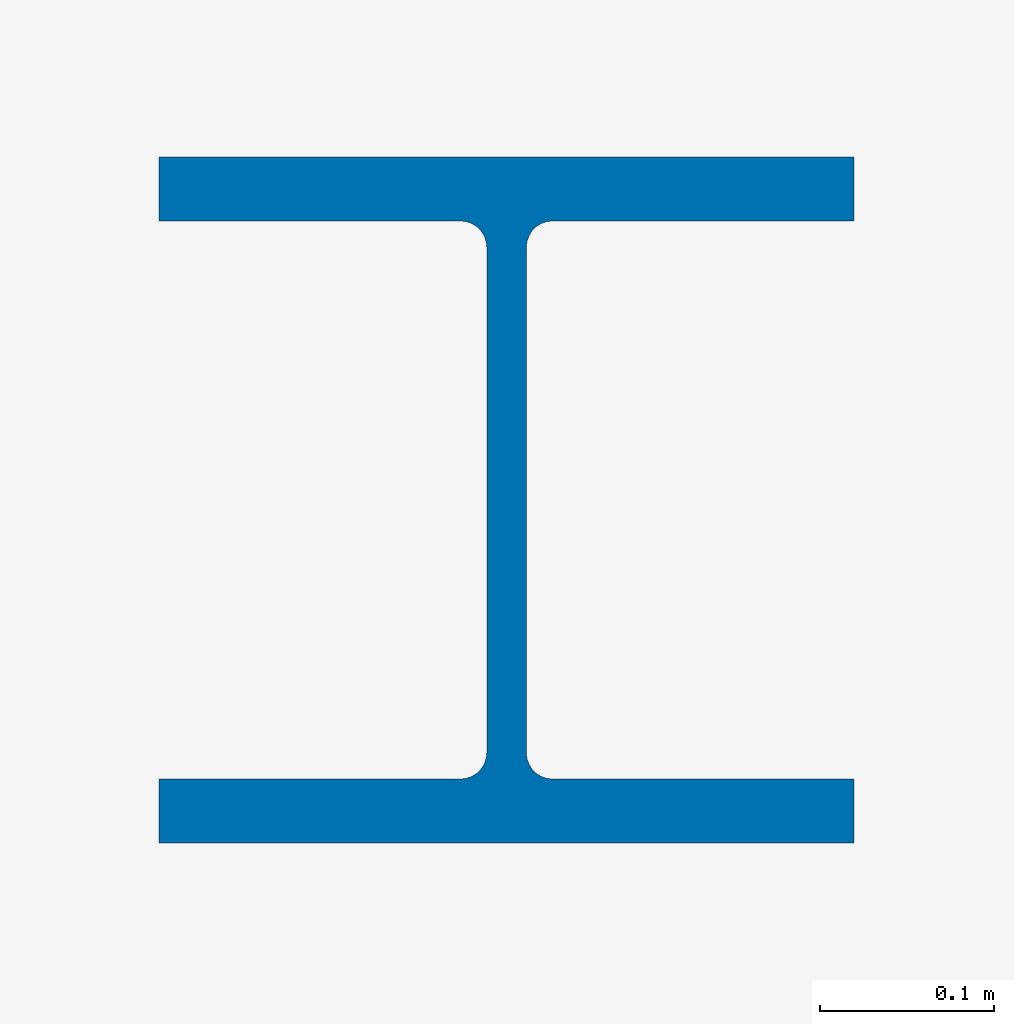
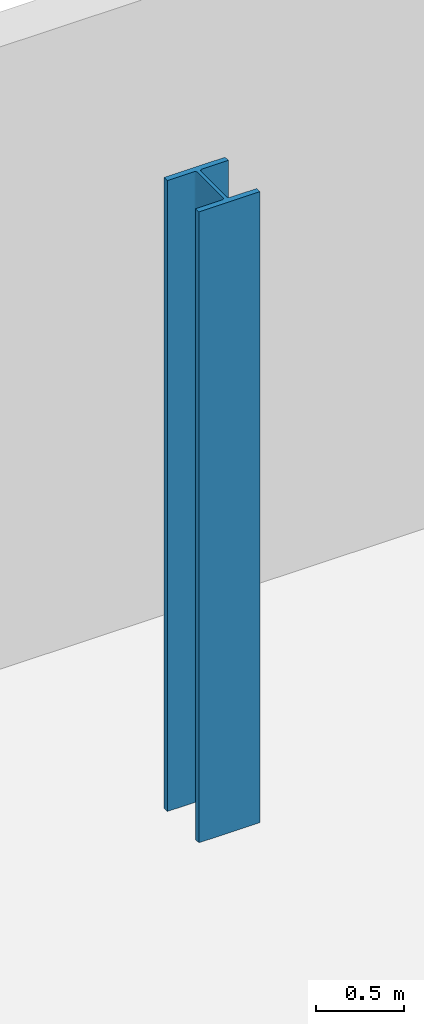
# One storey, part 6 of 45: 1 column.
"""IFC4 building model written with IfcOpenShell, lengths in metres."""

from ifc_helpers import new_model, si_unit, direction, frame, origin, origin_2d, place, context, subcontext, project, spatial, i_section, extrude, material, material_profile, profile_set, type_object, element, save


model = new_model("IFC4")

# Units and contexts
model_context = context("Model", 3, precision=1e-05, world=origin(), true_north=direction((0.0, 1.0)))
body_context = subcontext(model_context, "Body", "Model", "MODEL_VIEW")
ifc_project = project(units=[si_unit("LENGTHUNIT", "METRE"), si_unit("AREAUNIT", "SQUARE_METRE"), si_unit("VOLUMEUNIT", "CUBIC_METRE"), si_unit("PLANEANGLEUNIT", "RADIAN"), si_unit("MASSUNIT", "GRAM", prefix="KILO")], contexts=[model_context])

# Site, building, storey
site_placement = place(None, origin())
site = spatial("IfcSite", under=ifc_project, at=site_placement, CompositionType="ELEMENT")
building_placement = place(site_placement, origin())
building = spatial("IfcBuilding", under=site, at=building_placement, Name="Korimba Cascade Residences", CompositionType="ELEMENT")
storey_placement = place(building_placement, frame((0.0, 0.0, 5.39990234375)))
storey = spatial("IfcBuildingStorey", under=building, at=storey_placement, Name="L01", CompositionType="ELEMENT", Elevation=5.39990234375)

# Column
ifc_material = material(Name="Steel S355", Category="steel")
ifc_material_profile = material_profile(ifc_material, i_section(OverallWidth=0.39892578125, OverallDepth=0.3935546875, WebThickness=0.022705078125, FlangeThickness=0.03662109375, FilletRadius=0.01513671875, at=origin_2d()), Name="Steel S355")
ifc_profile_set = profile_set([ifc_material_profile], Name="Steel S355")
column_type = type_object("IfcColumnType", Name="COL-STL-UC287", PredefinedType="COLUMN", material=ifc_profile_set)
column_placement = place(storey_placement, frame((132.0, 104.550048828125, 0.0), z_axis=(0.0, 0.0, 1.0), x_axis=(1.0, 0.0, 0.0)))
element("IfcColumn", 1, at=column_placement, inside=storey, type_object=column_type, Name="L01 Podium Column PTN4", PredefinedType="COLUMN", context=body_context, shape_type="SweptSolid", body=[
    extrude(i_section(OverallWidth=0.39892578125, OverallDepth=0.3935546875, WebThickness=0.022705078125, FlangeThickness=0.03662109375, FilletRadius=0.01513671875, at=origin_2d()), origin(), (0.0, 0.0, 1.0), 4.360107421875),
])

save(model, "model.ifc")
